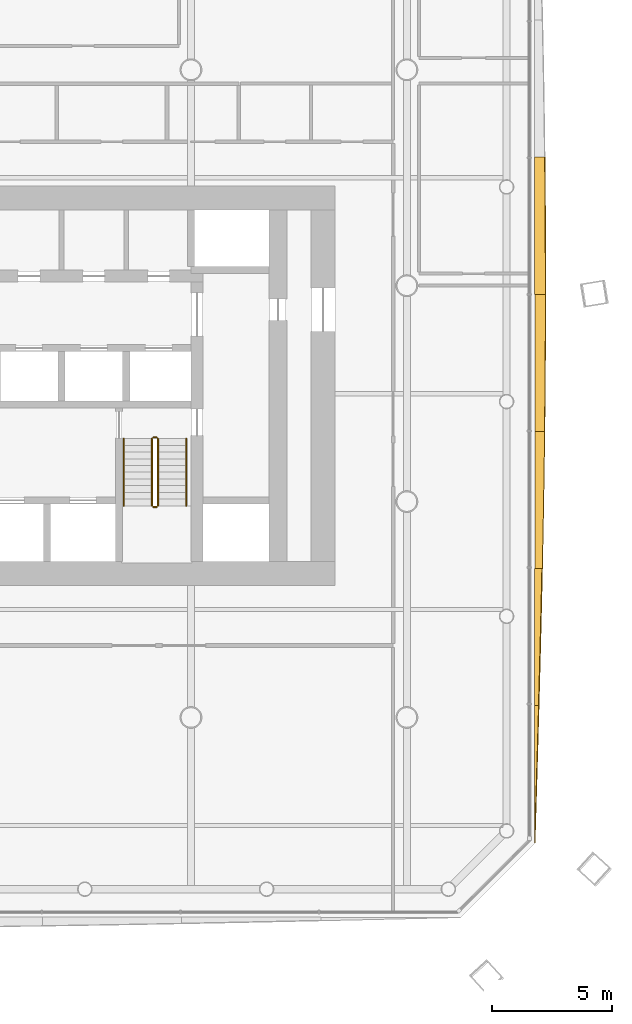
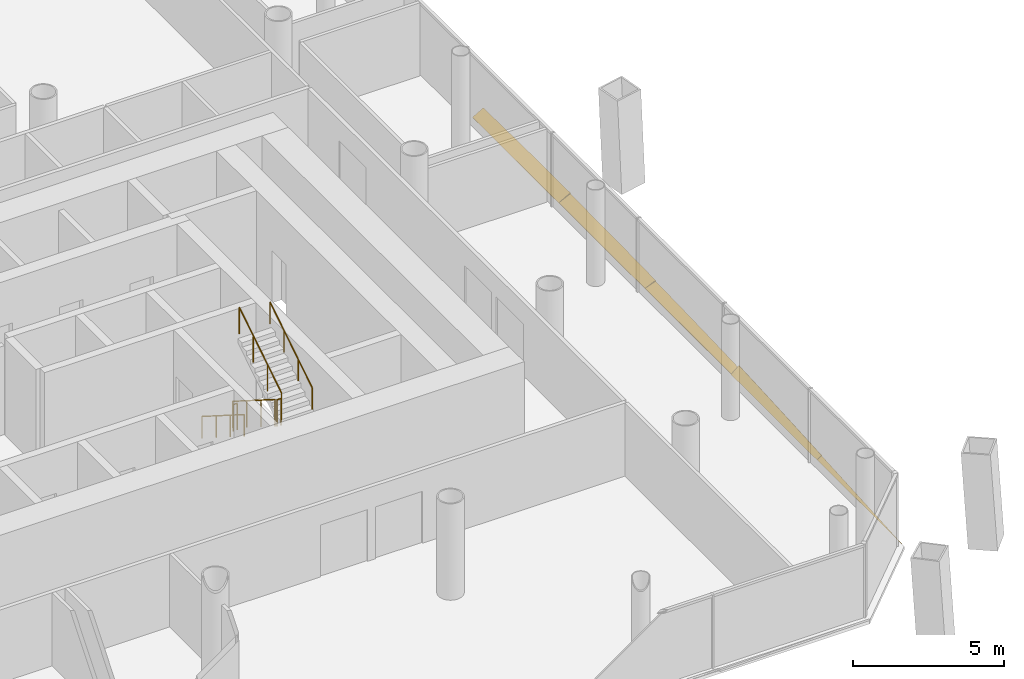
# One storey, part 18 of 20: 6 railings, 5 shading devices.
"""IFC4 building model written with IfcOpenShell, lengths in metres."""

import ifcopenshell
import ifcopenshell.guid

model = None  # the IFC model being written
_history = None  # IfcOwnerHistory: only IFC2X3 demands one
_inside = {}  # id of a spatial element -> (the spatial element, [elements in it])
_under = {}  # id of a project, library or spatial element -> (it, [spatial elements below it])
_declared = {}  # id of a project -> (the project, [libraries it declares])
_typed = {}  # id of a type object -> (the type object, [elements of that type])
_made_of = {}  # id of a material, layer set ... -> (it, [elements and type objects made of it])


def new_model(schema):
    """Start an empty IFC model of exactly this schema.

    Asked for "IFC4X3", IfcOpenShell would pick the latest addendum, in which some entities
    have other attributes; the version numbers below select the first issue.
    IFC2X3 requires an IfcOwnerHistory on every rooted entity: one is made here for all.
    """
    global model, _history
    if schema == "IFC4X3":
        model = ifcopenshell.file(schema_version=(4, 3, 0, 0))
    else:
        model = ifcopenshell.file(schema=schema)
    _inside.clear()
    _under.clear()
    _declared.clear()
    _typed.clear()
    _made_of.clear()
    _history = None
    if model.schema == "IFC2X3":
        org = make("IfcOrganization", Name="unknown")
        user = make(
            "IfcPersonAndOrganization",
            ThePerson=make("IfcPerson", FamilyName="unknown"),
            TheOrganization=org,
        )
        app = make(
            "IfcApplication",
            ApplicationDeveloper=org,
            Version="unknown",
            ApplicationFullName="unknown",
            ApplicationIdentifier="unknown",
        )
        _history = make(
            "IfcOwnerHistory",
            OwningUser=user,
            OwningApplication=app,
            ChangeAction="ADDED",
            CreationDate=0,
        )
    return model


def make(cls, **values):
    """One entity of the class cls with the attributes given. An attribute that is None is left unset."""
    return model.create_entity(
        cls, **{name: value for name, value in values.items() if value is not None}
    )


def rooted(cls, **values):
    """An entity with a GlobalId (a new one), such as an element, a storey or a relation."""
    return make(cls, GlobalId=ifcopenshell.guid.new(), OwnerHistory=_history, **values)


def si_unit(unit_type, name, prefix=None):
    """IfcSIUnit, for example si_unit("LENGTHUNIT", "METRE", prefix="MILLI")."""
    return make("IfcSIUnit", UnitType=unit_type, Prefix=prefix, Name=name)


def assignment(units):
    """IfcUnitAssignment: the units of a project."""
    return None if units is None else make("IfcUnitAssignment", Units=units)


def point(xyz):
    """IfcCartesianPoint."""
    return None if xyz is None else make("IfcCartesianPoint", Coordinates=xyz)


def direction(xyz):
    """IfcDirection."""
    return None if xyz is None else make("IfcDirection", DirectionRatios=xyz)


def frame(location, z_axis=None, x_axis=None):
    """IfcAxis2Placement3D, a coordinate frame: its origin and axes. An axis left out is left unset."""
    return make(
        "IfcAxis2Placement3D",
        Location=point(location),
        Axis=direction(z_axis),
        RefDirection=direction(x_axis),
    )


def frame_2d(location, x_axis=None):
    """IfcAxis2Placement2D, a coordinate frame in the plane: its origin and x axis."""
    return make(
        "IfcAxis2Placement2D", Location=point(location), RefDirection=direction(x_axis)
    )


def origin():
    """The frame at (0, 0, 0) with its axes left unset."""
    return frame((0.0, 0.0, 0.0))


def origin_2d():
    """The frame at (0, 0) in the plane with its x axis left unset."""
    return frame_2d((0.0, 0.0))


def place(relative_to, where):
    """IfcLocalPlacement: puts the frame where relative to a parent placement (None: the world)."""
    return make(
        "IfcLocalPlacement", PlacementRelTo=relative_to, RelativePlacement=where
    )


def context(
    kind, dimensions, precision=None, world=None, true_north=None, identifier=None
):
    """IfcGeometricRepresentationContext, for example the 3D "Model" context."""
    return make(
        "IfcGeometricRepresentationContext",
        ContextIdentifier=identifier,
        ContextType=kind,
        CoordinateSpaceDimension=dimensions,
        Precision=precision,
        WorldCoordinateSystem=world,
        TrueNorth=true_north,
    )


def subcontext(parent, identifier, kind, view, scale=None):
    """IfcGeometricRepresentationSubContext, for example "Body" below "Model"."""
    return make(
        "IfcGeometricRepresentationSubContext",
        ContextIdentifier=identifier,
        ContextType=kind,
        ParentContext=parent,
        TargetScale=scale,
        TargetView=view,
    )


def project(units=None, contexts=None):
    """IfcProject with its units and contexts."""
    return rooted(
        "IfcProject",
        Name="project",
        RepresentationContexts=contexts,
        UnitsInContext=assignment(units),
    )


def spatial(cls, under=None, at=None, **own):
    """A site, building, storey or space (cls), placed at a placement, below another one or the project."""
    s = rooted(cls, ObjectPlacement=at, **own)
    if under is not None:
        _under.setdefault(under.id(), (under, []))[1].append(s)
    return s


def polyline(points):
    """IfcPolyline through the points."""
    return make("IfcPolyline", Points=[point(p) for p in points])


def profile(cls, at=None, kind="AREA", **sizes):
    """A parametric profile (cls). Its sizes go by their IFC names, for example OverallWidth=200.0."""
    return make(cls, ProfileType=kind, Position=at, **sizes)


def circle(**sizes):
    """IfcCircleProfileDef."""
    return profile("IfcCircleProfileDef", **sizes)


def outline(outer, holes=None, kind="AREA"):
    """IfcArbitraryClosedProfileDef: a profile drawn as a closed curve; with holes, ...WithVoids."""
    if holes is None:
        return make("IfcArbitraryClosedProfileDef", ProfileType=kind, OuterCurve=outer)
    return make(
        "IfcArbitraryProfileDefWithVoids",
        ProfileType=kind,
        OuterCurve=outer,
        InnerCurves=holes,
    )


def extrude(swept, where, along, depth):
    """IfcExtrudedAreaSolid: the profile swept, set in the frame where, extruded along a direction by depth."""
    return make(
        "IfcExtrudedAreaSolid",
        SweptArea=swept,
        Position=where,
        ExtrudedDirection=direction(along),
        Depth=depth,
    )


def shape(context_of_items, identifier, shape_type, items):
    """IfcShapeRepresentation: the items that make up one representation, for example the "Body"."""
    return make(
        "IfcShapeRepresentation",
        ContextOfItems=context_of_items,
        RepresentationIdentifier=identifier,
        RepresentationType=shape_type,
        Items=items,
    )


def material(Name=None, Category=None):
    """IfcMaterial."""
    return make("IfcMaterial", Name=Name, Category=Category)


def layer(
    of_material, thickness, ventilated=None, Name=None, Category=None, Priority=None
):
    """IfcMaterialLayer: one layer of a wall or slab, of a material (None: an air gap)."""
    return make(
        "IfcMaterialLayer",
        Material=of_material,
        LayerThickness=thickness,
        IsVentilated=ventilated,
        Name=Name,
        Category=Category,
        Priority=Priority,
    )


def layer_set(layers, Name=None):
    """IfcMaterialLayerSet."""
    return make("IfcMaterialLayerSet", MaterialLayers=layers, LayerSetName=Name)


def made_of(thing, what):
    """Note that an element or type object is made of a material, layer set ...; save() writes the relation."""
    if what is not None:
        _made_of.setdefault(what.id(), (what, []))[1].append(thing)
    return thing


def type_object(cls, material=None, **own):
    """A type object (cls), such as IfcWallType, which elements share."""
    return made_of(rooted(cls, **own), material)


def element(
    cls,
    number,
    at=None,
    inside=None,
    cuts=None,
    type_object=None,
    material=None,
    context=None,
    identifier="Body",
    shape_type=None,
    held_by="IfcProductDefinitionShape",
    body=None,
    shapes=None,
    **own,
):
    """One element of the class cls, such as IfcWall. Its Tag is "e" and its number.

    at: its placement. inside: the storey or other place that contains it. cuts: it is an
    opening in that element (IfcRelVoidsElement). A single representation is given by context,
    identifier, shape_type and body (its items); several are given by shapes. held_by: the class
    of the entity that holds the representations. save() writes the other relations.
    """
    e = rooted(cls, Tag="e%d" % number, ObjectPlacement=at, **own)
    if body is not None:
        shapes = [shape(context, identifier, shape_type, body)]
    if shapes is not None:
        e.Representation = make(held_by, Representations=shapes)
    if inside is not None:
        _inside.setdefault(inside.id(), (inside, []))[1].append(e)
    if cuts is not None:
        rooted(
            "IfcRelVoidsElement", RelatingBuildingElement=cuts, RelatedOpeningElement=e
        )
    if type_object is not None:
        _typed.setdefault(type_object.id(), (type_object, []))[1].append(e)
    return made_of(e, material)


def aggregate(whole, parts):
    """IfcRelAggregates: a whole, such as a stair, and the parts it consists of."""
    return rooted("IfcRelAggregates", RelatingObject=whole, RelatedObjects=parts)


def save(model, path):
    """Write the relations noted so far, then the file.

    IfcRelAggregates (storeys below a building ...), IfcRelContainedInSpatialStructure (elements
    in a storey), IfcRelDefinesByType, IfcRelAssociatesMaterial and IfcRelDeclares: one each for
    every whole, place, type object, material and project.
    """
    for whole, parts in _under.values():
        aggregate(whole, parts)
    for where, things in _inside.values():
        rooted(
            "IfcRelContainedInSpatialStructure",
            RelatedElements=things,
            RelatingStructure=where,
        )
    for kind, things in _typed.values():
        rooted("IfcRelDefinesByType", RelatedObjects=things, RelatingType=kind)
    for what, things in _made_of.values():
        rooted("IfcRelAssociatesMaterial", RelatedObjects=things, RelatingMaterial=what)
    for by, libraries in _declared.values():
        rooted("IfcRelDeclares", RelatingContext=by, RelatedDefinitions=libraries)
    model.write(path)


model = new_model("IFC4")

# Units and contexts
model_context = context("Model", 3, precision=1e-05, world=origin(), true_north=direction((0.0, 1.0)))
body_context = subcontext(model_context, "Body", "Model", "MODEL_VIEW")
ifc_project = project(units=[si_unit("LENGTHUNIT", "METRE"), si_unit("AREAUNIT", "SQUARE_METRE"), si_unit("VOLUMEUNIT", "CUBIC_METRE"), si_unit("PLANEANGLEUNIT", "RADIAN"), si_unit("MASSUNIT", "GRAM", prefix="KILO")], contexts=[model_context])

# Site, building, storey
site_placement = place(None, origin())
site = spatial("IfcSite", under=ifc_project, at=site_placement, CompositionType="ELEMENT")
building_placement = place(site_placement, origin())
building = spatial("IfcBuilding", under=site, at=building_placement, Name="Tskaro Facet Tower", CompositionType="ELEMENT")
storey_placement = place(building_placement, frame((0.0, 0.0, 53.699951171875)))
storey = spatial("IfcBuildingStorey", under=building, at=storey_placement, Name="L12", CompositionType="ELEMENT", Elevation=53.699951171875)

# Shading devices
ifc_material_1 = material(Name="Bronze anodised aluminium 6063-T6", Category="aluminium")
ifc_layer = layer(ifc_material_1, 0.06005859375, Name="Bronze anodised aluminium 6063-T6")
ifc_layer_set = layer_set([ifc_layer], Name="Bronze anodised aluminium 6063-T6")
shading_device_type = type_object("IfcShadingDeviceType", Name="Bronze sun blade (FN1)", PredefinedType="USERDEFINED", material=ifc_layer_set)
shading_device_1_placement = place(storey_placement, frame((23.322509765625, -23.22607421875, 0.04931640625), z_axis=(-0.572202563051, -1.9736378e-05, 0.820112325507), x_axis=(-1.1293206e-05, 0.999999999805, 1.6186047e-05)))
element("IfcShadingDevice", 1, at=shading_device_1_placement, inside=storey, type_object=shading_device_type, Name="Fin blade east 1", ObjectType="FIN", PredefinedType="USERDEFINED", context=body_context, shape_type="SweptSolid", body=[
    extrude(outline(polyline([(0.0, 0.0), (5.717041014511536, 9.685044202077125e-21), (5.7170410167068795, -0.20250795872936259), (5.0024414083104665, -0.17812691458753566), (4.287841795962384, -0.15360617255431178), (3.573242185176889, -0.12854528715817384), (2.858398439280703, -0.10308395629051886), (2.1437988273006674, -0.07768315026722541), (1.429199216883221, -0.051742200881017955), (0.7145996064657747, -0.025801251494810492), (0.0, 0.0)])), origin(), (0.0, 0.0, -1.0), 0.06005859375),
])
shading_device_2_placement = place(storey_placement, frame((23.318359375, -17.509033203125, 0.0458984375), z_axis=(-0.642812523517, 8.109213e-06, 0.766023537199), x_axis=(5.212704e-06, 0.999999999967, -6.211848e-06)))
element("IfcShadingDevice", 2, at=shading_device_2_placement, inside=storey, type_object=shading_device_type, Name="Fin blade east 2", ObjectType="FIN", PredefinedType="USERDEFINED", context=body_context, shape_type="SweptSolid", body=[
    extrude(outline(polyline([(0.0, 0.0), (5.716796874812034, 4.842315305885424e-21), (5.716796875076712, -0.4018680005722497), (5.002197266171193, -0.3814243036353717), (4.287597656480905, -0.36010568100055645), (3.5729980460058486, -0.337912132667804), (2.858398437291288, -0.3152176935673998), (2.14379882803589, -0.29130437465266124), (1.4291992190244232, -0.26704710162152534), (0.7145996089842558, -0.24225885700884953), (-5.680482793187205e-10, -0.21678270416337925), (0.0, 0.0)])), origin(), (0.0, 0.0, -1.0), 0.06005859375),
])
shading_device_3_placement = place(storey_placement, frame((23.33642578125, -11.792236328125, 0.056396484375), z_axis=(-0.341976044437, -4.345833e-06, 0.939708670287), x_axis=(-1.486171e-06, 0.999999999991, 4.083817e-06)))
element("IfcShadingDevice", 3, at=shading_device_3_placement, inside=storey, type_object=shading_device_type, Name="Fin blade east 3", ObjectType="FIN", PredefinedType="USERDEFINED", context=body_context, shape_type="SweptSolid", body=[
    extrude(outline(polyline([(0.0, 0.0), (5.716796874946016, 1.210578826471356e-21), (5.716796875206786, -0.43103765011292833), (5.002197265667893, -0.42115078632059394), (4.287597656220477, -0.41049216909678304), (3.572998047227375, -0.39883237737941174), (2.858398437328726, -0.3863173419853395), (2.1437988278843894, -0.3728011320977068), (1.4291992185315316, -0.3585131687785976), (0.714599609270152, -0.3434534520280121), (1.002508383433036e-10, -0.32762198184595), (0.0, 0.0)])), origin(), (0.0, 0.0, -1.0), 0.06005859375),
])
shading_device_4_placement = place(storey_placement, frame((23.33154296875, -6.075439453125, 0.054443359375), z_axis=(-0.42255036627, 4.721278e-06, 0.906339444106), x_axis=(1.994978e-06, 0.999999999989, -4.279081e-06)))
element("IfcShadingDevice", 4, at=shading_device_4_placement, inside=storey, type_object=shading_device_type, Name="Fin blade east 4", ObjectType="FIN", PredefinedType="USERDEFINED", context=body_context, shape_type="SweptSolid", body=[
    extrude(outline(polyline([(0.0, 0.0), (5.717041015561282, 2.421261050519281e-21), (5.717041016239384, -0.48910889657804446), (5.002441406039413, -0.48757492748691966), (4.287841796467672, -0.48517081213971613), (3.572998046969748, -0.48135084026922004), (2.8583984376803544, -0.4767638838531616), (2.1437988280450804, -0.47086423262432703), (1.4291992185509799, -0.463873160861065), (0.7145996091980543, -0.4557906685633756), (4.733581251707788e-10, -0.4468380300096073), (0.0, 0.0)])), origin(), (0.0, 0.0, -1.0), 0.06005859375),
])
shading_device_5_placement = place(storey_placement, frame((23.326904296875, -0.3583984375, 0.052001953125), z_axis=(-0.499993120325, -2.877098e-06, 0.866029375725), x_axis=(-1.438529e-06, 0.999999999996, 2.491651e-06)))
element("IfcShadingDevice", 5, at=shading_device_5_placement, inside=storey, type_object=shading_device_type, Name="Fin blade east 5", ObjectType="FIN", PredefinedType="USERDEFINED", context=body_context, shape_type="SweptSolid", body=[
    extrude(outline(polyline([(0.0, 0.0), (5.716796874976339, -1.210578826471356e-21), (5.716796874779992, -0.47864041452842004), (5.002197265821487, -0.4871806385122477), (4.287597656442856, -0.4945089247851629), (3.5729980466440985, -0.5006252733471656), (2.8583984373847313, -0.5054403198780895), (2.143798828056441, -0.508831995745042), (1.4291992189163378, -0.5111338025339746), (0.7145996093561084, -0.5122236716119946), (0.5488281249817946, -0.5122236716119946), (-2.7304387591122766e-10, -0.5118901700260434), (0.0, 0.0)])), origin(), (0.0, 0.0, -1.0), 0.06005859375),
])

# Railings
ifc_material_2 = material(Name="Stainless steel", Category="steel")
railing_type_1 = type_object("IfcRailingType", Name="RL-GUARD-1100", PredefinedType="GUARDRAIL", material=ifc_material_2)
railing_1_placement = place(storey_placement, frame((7.375, -6.375, 0.17724609375)))
element("IfcRailing", 6, at=railing_1_placement, inside=storey, type_object=railing_type_1, Name="L12 ST-2 stair guard 1", PredefinedType="GUARDRAIL", context=body_context, shape_type="SweptSolid", body=[
    extrude(circle(Radius=0.02392578125, at=origin_2d()), frame((0.0, 0.0, 1.076171875), z_axis=(0.0, -0.844908973607, 0.534910110503), x_axis=(1.0, 0.0, 0.0)), (0.0, 0.0, 1.0), 3.31396484375),
    extrude(circle(Radius=0.02099609375, at=origin_2d()), origin(), (0.0, 0.0, 1.0), 1.052001953125),
    extrude(circle(Radius=0.02099609375, at=origin_2d()), frame((0.0, -0.933349609375, 0.5908203125)), (0.0, 0.0, 1.0), 1.052001953125),
    extrude(circle(Radius=0.02099609375, at=origin_2d()), frame((0.0, -1.86669921875, 1.181884765625)), (0.0, 0.0, 1.0), 1.052001953125),
    extrude(circle(Radius=0.02099609375, at=origin_2d()), frame((0.0, -2.800048828125, 1.772705078125)), (0.0, 0.0, 1.0), 1.052001953125),
])
railing_2_placement = place(storey_placement, frame((7.425048828125, -9.22509765625, 1.949951171875)))
element("IfcRailing", 7, at=railing_2_placement, inside=storey, type_object=railing_type_1, Name="L12 ST-2 stair guard 2", PredefinedType="GUARDRAIL", context=body_context, shape_type="SweptSolid", body=[
    extrude(circle(Radius=0.02392578125, at=origin_2d()), frame((0.0, 0.0, 1.076171875), z_axis=(1.0, 0.0, 0.0), x_axis=(0.0, 1.0, 0.0)), (0.0, 0.0, 1.0), 0.14990234375),
    extrude(circle(Radius=0.02099609375, at=origin_2d()), origin(), (0.0, 0.0, 1.0), 1.052001953125),
    extrude(circle(Radius=0.02099609375, at=origin_2d()), frame((0.14990234375, 0.0, 0.0)), (0.0, 0.0, 1.0), 1.052001953125),
])
railing_3_placement = place(storey_placement, frame((7.625, -9.175048828125, 2.12744140625)))
element("IfcRailing", 8, at=railing_3_placement, inside=storey, type_object=railing_type_1, Name="L12 ST-2 stair guard 3", PredefinedType="GUARDRAIL", context=body_context, shape_type="SweptSolid", body=[
    extrude(circle(Radius=0.02392578125, at=origin_2d()), frame((0.0, 0.0, 1.076171875), z_axis=(0.0, 0.844908973607, 0.534910110503), x_axis=(-1.0, 0.0, 0.0)), (0.0, 0.0, 1.0), 3.31396484375),
    extrude(circle(Radius=0.02099609375, at=origin_2d()), origin(), (0.0, 0.0, 1.0), 1.052001953125),
    extrude(circle(Radius=0.02099609375, at=origin_2d()), frame((0.0, 0.933349609375, 0.5908203125)), (0.0, 0.0, 1.0), 1.052001953125),
    extrude(circle(Radius=0.02099609375, at=origin_2d()), frame((0.0, 1.86669921875, 1.181884765625)), (0.0, 0.0, 1.0), 1.052001953125),
    extrude(circle(Radius=0.02099609375, at=origin_2d()), frame((0.0, 2.800048828125, 1.772705078125)), (0.0, 0.0, 1.0), 1.052001953125),
])
railing_4_placement = place(storey_placement, frame((7.425048828125, -6.324951171875, 0.0)))
element("IfcRailing", 9, at=railing_4_placement, inside=storey, type_object=railing_type_1, Name="L12 ST-2 stair guard 4", PredefinedType="GUARDRAIL", context=body_context, shape_type="SweptSolid", body=[
    extrude(circle(Radius=0.02392578125, at=origin_2d()), frame((0.0, 0.0, 1.076171875), z_axis=(1.0, 0.0, 0.0), x_axis=(0.0, 1.0, 0.0)), (0.0, 0.0, 1.0), 0.14990234375),
    extrude(circle(Radius=0.02099609375, at=origin_2d()), origin(), (0.0, 0.0, 1.0), 1.052001953125),
    extrude(circle(Radius=0.02099609375, at=origin_2d()), frame((0.14990234375, 0.0, 0.0)), (0.0, 0.0, 1.0), 1.052001953125),
])
railing_type_2 = type_object("IfcRailingType", Name="RL-HANDRAIL-900", PredefinedType="HANDRAIL", material=ifc_material_2)
railing_5_placement = place(storey_placement, frame((6.199951171875, -6.375, 0.17724609375)))
element("IfcRailing", 10, at=railing_5_placement, inside=storey, type_object=railing_type_2, Name="L12 ST-2 stair handrail 1", PredefinedType="HANDRAIL", context=body_context, shape_type="SweptSolid", body=[
    extrude(circle(Radius=0.02392578125, at=origin_2d()), frame((0.0, 0.0, 0.8759765625), z_axis=(0.0, -0.844908973607, 0.534910110503), x_axis=(1.0, 0.0, 0.0)), (0.0, 0.0, 1.0), 3.31396484375),
    extrude(circle(Radius=0.02099609375, at=origin_2d()), origin(), (0.0, 0.0, 1.0), 0.851806640625),
    extrude(circle(Radius=0.02099609375, at=origin_2d()), frame((0.0, -0.933349609375, 0.5908203125)), (0.0, 0.0, 1.0), 0.851806640625),
    extrude(circle(Radius=0.02099609375, at=origin_2d()), frame((0.0, -1.86669921875, 1.181884765625)), (0.0, 0.0, 1.0), 0.851806640625),
    extrude(circle(Radius=0.02099609375, at=origin_2d()), frame((0.0, -2.800048828125, 1.772705078125)), (0.0, 0.0, 1.0), 0.851806640625),
])
railing_6_placement = place(storey_placement, frame((8.800048828125, -9.175048828125, 2.12744140625)))
element("IfcRailing", 11, at=railing_6_placement, inside=storey, type_object=railing_type_2, Name="L12 ST-2 stair handrail 2", PredefinedType="HANDRAIL", context=body_context, shape_type="SweptSolid", body=[
    extrude(circle(Radius=0.02392578125, at=origin_2d()), frame((0.0, 0.0, 0.8759765625), z_axis=(0.0, 0.844908973607, 0.534910110503), x_axis=(-1.0, 0.0, 0.0)), (0.0, 0.0, 1.0), 3.31396484375),
    extrude(circle(Radius=0.02099609375, at=origin_2d()), origin(), (0.0, 0.0, 1.0), 0.851806640625),
    extrude(circle(Radius=0.02099609375, at=origin_2d()), frame((0.0, 0.933349609375, 0.5908203125)), (0.0, 0.0, 1.0), 0.851806640625),
    extrude(circle(Radius=0.02099609375, at=origin_2d()), frame((0.0, 1.86669921875, 1.181884765625)), (0.0, 0.0, 1.0), 0.851806640625),
    extrude(circle(Radius=0.02099609375, at=origin_2d()), frame((0.0, 2.800048828125, 1.772705078125)), (0.0, 0.0, 1.0), 0.851806640625),
])

save(model, "model.ifc")
